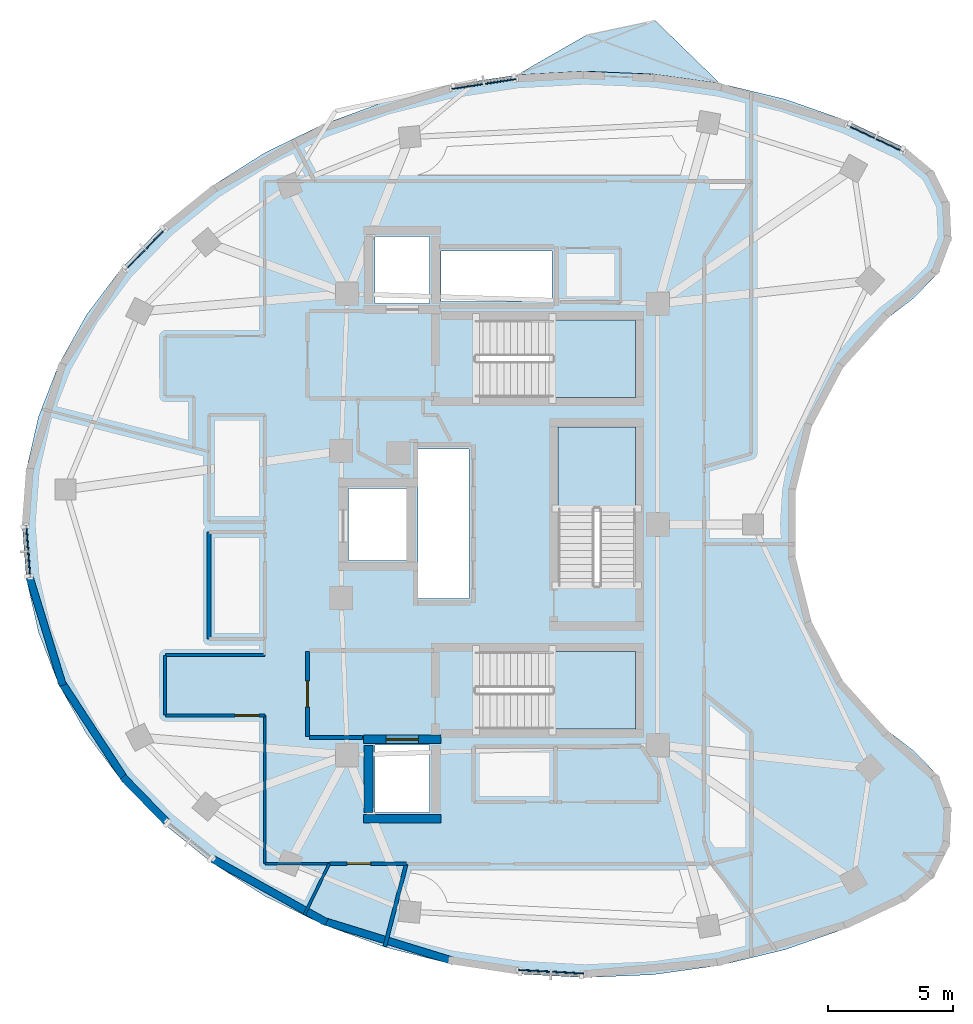
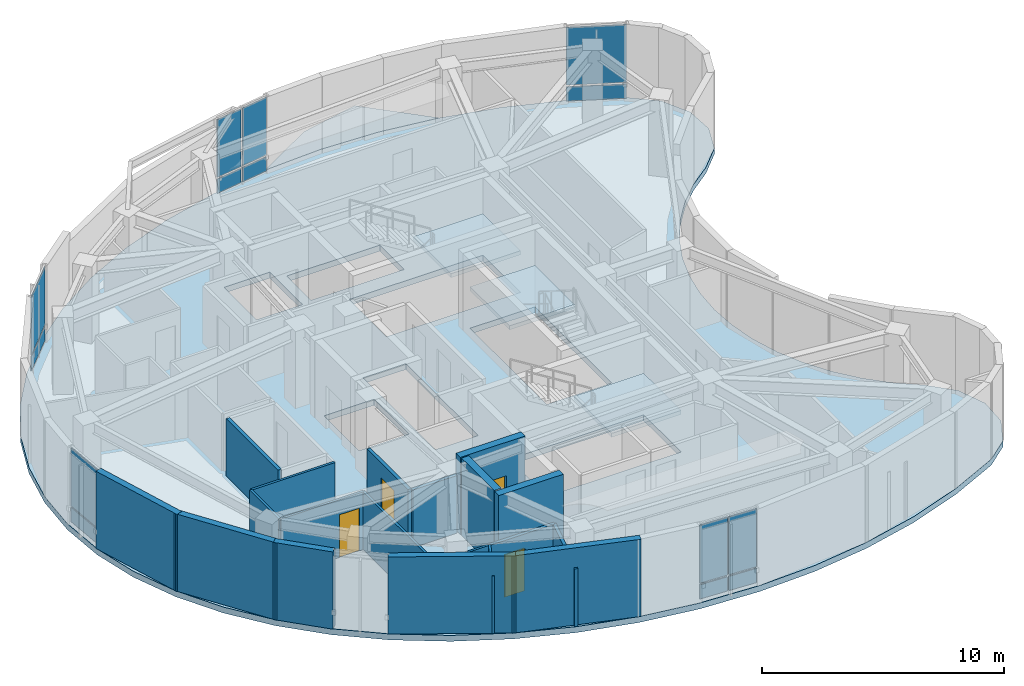
# One storey, part 3 of 10: 19 walls, 14 plates, 5 slabs, 4 doors, 4 openings, 8 elements without a shape of their own.
"""IFC4 building model written with IfcOpenShell, lengths in metres."""

from ifc_helpers import new_model, si_unit, direction, frame, frame_2d, origin, origin_2d, place, context, subcontext, project, spatial, polyline, rectangle, outline, extrude, material, layer, layer_set, type_object, element, fill, aggregate, save


model = new_model("IFC4")

# Units and contexts
model_context = context("Model", 3, precision=1e-05, world=origin(), true_north=direction((0.0, 1.0)))
body_context = subcontext(model_context, "Body", "Model", "MODEL_VIEW")
ifc_project = project(units=[si_unit("LENGTHUNIT", "METRE"), si_unit("AREAUNIT", "SQUARE_METRE"), si_unit("VOLUMEUNIT", "CUBIC_METRE"), si_unit("PLANEANGLEUNIT", "RADIAN"), si_unit("MASSUNIT", "GRAM", prefix="KILO")], contexts=[model_context])

# Site, building, storey
site_placement = place(None, origin())
site = spatial("IfcSite", under=ifc_project, at=site_placement, CompositionType="ELEMENT")
building_placement = place(site_placement, origin())
building = spatial("IfcBuilding", under=site, at=building_placement, Name="Korentha Bioscience Tower", CompositionType="ELEMENT")
storey_placement = place(building_placement, frame((0.0, 0.0, 306.0)))
storey = spatial("IfcBuildingStorey", under=building, at=storey_placement, Name="L70", CompositionType="ELEMENT", Elevation=306.0)

# Curtain wall, plates
ifc_material_1 = material(Name="Thermally Broken Aluminium Frame", Category="aluminium")
ifc_layer_1 = layer(ifc_material_1, 0.219970703125, Name="Thermally Broken Aluminium Frame")
ifc_layer_set_1 = layer_set([ifc_layer_1], Name="Thermally Broken Aluminium Frame (CW-T2)")
curtain_wall_type = type_object("IfcCurtainWallType", Name="Solar-Screened Lab Unitised Curtain Wall CW-T2", PredefinedType="USERDEFINED", material=ifc_layer_set_1)
curtain_wall_1_placement = place(storey_placement, origin())
curtain_wall_1 = element("IfcCurtainWall", 1, at=curtain_wall_1_placement, inside=storey, type_object=curtain_wall_type, Name="L70 Curtain Wall 01", ObjectType="UNITISED", PredefinedType="USERDEFINED")
ifc_material_2 = material(Name="Triple-Glazed Low-E Insulated Glass", Category="glass")
ifc_layer_2 = layer(ifc_material_2, 0.0439453125, Name="Triple-Glazed Low-E Insulated Glass")
ifc_layer_set_2 = layer_set([ifc_layer_2], Name="Triple-Glazed Low-E Insulated Glass (GL-44)")
plate_type = type_object("IfcPlateType", Name="Glazed Panel 44mm", PredefinedType="CURTAIN_PANEL", material=ifc_layer_set_2)
plate_1_placement = place(storey_placement, frame((46.267578125, 42.4755859375, 0.08984375), z_axis=(0.0, 0.0, 1.0), x_axis=(-0.904397382054, 0.426691194347, 0.0)))
plate_1 = element("IfcPlate", 2, at=plate_1_placement, type_object=plate_type, Name="CW-L70-01 Bay 1 Glazed Panel 1", PredefinedType="CURTAIN_PANEL", context=body_context, shape_type="SweptSolid", body=[
    extrude(rectangle(XDim=2.501708984375, YDim=0.0439453125, at=origin_2d()), origin(), (0.0, 0.0, 1.0), 0.715087890625),
])
plate_2_placement = place(storey_placement, frame((46.267578125, 42.4755859375, 0.89501953125), z_axis=(0.0, 0.0, 1.0), x_axis=(-0.904397382054, 0.426691194347, 0.0)))
plate_2 = element("IfcPlate", 3, at=plate_2_placement, type_object=plate_type, Name="CW-L70-01 Bay 1 Glazed Panel 2", PredefinedType="CURTAIN_PANEL", context=body_context, shape_type="SweptSolid", body=[
    extrude(rectangle(XDim=2.501708984375, YDim=0.0439453125, at=origin_2d()), origin(), (0.0, 0.0, 1.0), 2.9150390625),
])
aggregate(curtain_wall_1, [plate_1, plate_2])

curtain_wall_2_placement = place(storey_placement, origin())
curtain_wall_2 = element("IfcCurtainWall", 4, at=curtain_wall_2_placement, inside=storey, type_object=curtain_wall_type, Name="L70 Curtain Wall 07", ObjectType="UNITISED", PredefinedType="USERDEFINED")
plate_3_placement = place(storey_placement, frame((31.246337890625, 44.7626953125, 0.08984375), z_axis=(0.0, 0.0, 1.0), x_axis=(-0.988621035391, -0.150427551942, 0.0)))
plate_3 = element("IfcPlate", 5, at=plate_3_placement, type_object=plate_type, Name="CW-L70-07 Bay 1 Glazed Panel 1", PredefinedType="CURTAIN_PANEL", context=body_context, shape_type="SweptSolid", body=[
    extrude(rectangle(XDim=1.262451171875, YDim=0.0439453125, at=origin_2d()), origin(), (0.0, 0.0, 1.0), 0.715087890625),
])
plate_4_placement = place(storey_placement, frame((31.246337890625, 44.7626953125, 0.89501953125), z_axis=(0.0, 0.0, 1.0), x_axis=(-0.988621035391, -0.150427551942, 0.0)))
plate_4 = element("IfcPlate", 6, at=plate_4_placement, type_object=plate_type, Name="CW-L70-07 Bay 1 Glazed Panel 2", PredefinedType="CURTAIN_PANEL", context=body_context, shape_type="SweptSolid", body=[
    extrude(rectangle(XDim=1.262451171875, YDim=0.0439453125, at=origin_2d()), origin(), (0.0, 0.0, 1.0), 2.9150390625),
])
plate_5_placement = place(storey_placement, frame((29.909423828125, 44.559326171875, 0.08984375), z_axis=(0.0, 0.0, 1.0), x_axis=(-0.988621035391, -0.150427551942, 0.0)))
plate_5 = element("IfcPlate", 7, at=plate_5_placement, type_object=plate_type, Name="CW-L70-07 Bay 2 Glazed Panel 1", PredefinedType="CURTAIN_PANEL", context=body_context, shape_type="SweptSolid", body=[
    extrude(rectangle(XDim=1.262451171875, YDim=0.0439453125, at=origin_2d()), origin(), (0.0, 0.0, 1.0), 0.715087890625),
])
plate_6_placement = place(storey_placement, frame((29.909423828125, 44.559326171875, 0.89501953125), z_axis=(0.0, 0.0, 1.0), x_axis=(-0.988621035391, -0.150427551942, 0.0)))
plate_6 = element("IfcPlate", 8, at=plate_6_placement, type_object=plate_type, Name="CW-L70-07 Bay 2 Glazed Panel 2", PredefinedType="CURTAIN_PANEL", context=body_context, shape_type="SweptSolid", body=[
    extrude(rectangle(XDim=1.262451171875, YDim=0.0439453125, at=origin_2d()), origin(), (0.0, 0.0, 1.0), 2.9150390625),
])
aggregate(curtain_wall_2, [plate_3, plate_4, plate_5, plate_6])

curtain_wall_3_placement = place(storey_placement, origin())
curtain_wall_3 = element("IfcCurtainWall", 9, at=curtain_wall_3_placement, inside=storey, type_object=curtain_wall_type, Name="L70 Curtain Wall 13", ObjectType="UNITISED", PredefinedType="USERDEFINED")
plate_7_placement = place(storey_placement, frame((17.0009765625, 38.0283203125, 0.08984375), z_axis=(0.0, 0.0, 1.0), x_axis=(-0.697567217128, -0.716519349067, 0.0)))
plate_7 = element("IfcPlate", 10, at=plate_7_placement, type_object=plate_type, Name="CW-L70-13 Bay 1 Glazed Panel 1", PredefinedType="CURTAIN_PANEL", context=body_context, shape_type="SweptSolid", body=[
    extrude(rectangle(XDim=2.30517578125, YDim=0.0439453125, at=origin_2d()), origin(), (0.0, 0.0, 1.0), 0.715087890625),
])
plate_8_placement = place(storey_placement, frame((17.0009765625, 38.0283203125, 0.89501953125), z_axis=(0.0, 0.0, 1.0), x_axis=(-0.697567217128, -0.716519349067, 0.0)))
plate_8 = element("IfcPlate", 11, at=plate_8_placement, type_object=plate_type, Name="CW-L70-13 Bay 1 Glazed Panel 2", PredefinedType="CURTAIN_PANEL", context=body_context, shape_type="SweptSolid", body=[
    extrude(rectangle(XDim=2.30517578125, YDim=0.0439453125, at=origin_2d()), origin(), (0.0, 0.0, 1.0), 2.9150390625),
])
aggregate(curtain_wall_3, [plate_7, plate_8])

curtain_wall_4_placement = place(storey_placement, origin())
curtain_wall_4 = element("IfcCurtainWall", 12, at=curtain_wall_4_placement, inside=storey, type_object=curtain_wall_type, Name="L70 Curtain Wall 19", ObjectType="UNITISED", PredefinedType="USERDEFINED")
plate_9_placement = place(storey_placement, frame((12.302490234375, 25.922119140625, 0.08984375), z_axis=(0.0, 0.0, 1.0), x_axis=(0.075073021346, -0.997178039001, 0.0)))
plate_9 = element("IfcPlate", 13, at=plate_9_placement, type_object=plate_type, Name="CW-L70-19 Bay 1 Glazed Panel 1", PredefinedType="CURTAIN_PANEL", context=body_context, shape_type="SweptSolid", body=[
    extrude(rectangle(XDim=2.085693359375, YDim=0.0439453125, at=origin_2d()), origin(), (0.0, 0.0, 1.0), 0.715087890625),
])
plate_10_placement = place(storey_placement, frame((12.302490234375, 25.922119140625, 0.89501953125), z_axis=(0.0, 0.0, 1.0), x_axis=(0.075073021346, -0.997178039001, 0.0)))
plate_10 = element("IfcPlate", 14, at=plate_10_placement, type_object=plate_type, Name="CW-L70-19 Bay 1 Glazed Panel 2", PredefinedType="CURTAIN_PANEL", context=body_context, shape_type="SweptSolid", body=[
    extrude(rectangle(XDim=2.085693359375, YDim=0.0439453125, at=origin_2d()), origin(), (0.0, 0.0, 1.0), 2.9150390625),
])
aggregate(curtain_wall_4, [plate_9, plate_10])

curtain_wall_5_placement = place(storey_placement, origin())
curtain_wall_5 = element("IfcCurtainWall", 15, at=curtain_wall_5_placement, inside=storey, type_object=curtain_wall_type, Name="L70 Curtain Wall 31", ObjectType="UNITISED", PredefinedType="USERDEFINED")
plate_11_placement = place(storey_placement, frame((32.58837890625, 9.099365234375, 0.08984375), z_axis=(0.0, 0.0, 1.0), x_axis=(0.998526001182, -0.054275454513, 0.0)))
plate_11 = element("IfcPlate", 16, at=plate_11_placement, type_object=plate_type, Name="CW-L70-31 Bay 1 Glazed Panel 1", PredefinedType="CURTAIN_PANEL", context=body_context, shape_type="SweptSolid", body=[
    extrude(rectangle(XDim=1.27001953125, YDim=0.0439453125, at=origin_2d()), origin(), (0.0, 0.0, 1.0), 0.715087890625),
])
plate_12_placement = place(storey_placement, frame((32.58837890625, 9.099365234375, 0.89501953125), z_axis=(0.0, 0.0, 1.0), x_axis=(0.998526001182, -0.054275454513, 0.0)))
plate_12 = element("IfcPlate", 17, at=plate_12_placement, type_object=plate_type, Name="CW-L70-31 Bay 1 Glazed Panel 2", PredefinedType="CURTAIN_PANEL", context=body_context, shape_type="SweptSolid", body=[
    extrude(rectangle(XDim=1.27001953125, YDim=0.0439453125, at=origin_2d()), origin(), (0.0, 0.0, 1.0), 2.9150390625),
])
plate_13_placement = place(storey_placement, frame((33.9462890625, 9.025390625, 0.08984375), z_axis=(0.0, 0.0, 1.0), x_axis=(0.998526001182, -0.054275454513, 0.0)))
plate_13 = element("IfcPlate", 18, at=plate_13_placement, type_object=plate_type, Name="CW-L70-31 Bay 2 Glazed Panel 1", PredefinedType="CURTAIN_PANEL", context=body_context, shape_type="SweptSolid", body=[
    extrude(rectangle(XDim=1.27001953125, YDim=0.0439453125, at=origin_2d()), origin(), (0.0, 0.0, 1.0), 0.715087890625),
])
plate_14_placement = place(storey_placement, frame((33.9462890625, 9.025390625, 0.89501953125), z_axis=(0.0, 0.0, 1.0), x_axis=(0.998526001182, -0.054275454513, 0.0)))
plate_14 = element("IfcPlate", 19, at=plate_14_placement, type_object=plate_type, Name="CW-L70-31 Bay 2 Glazed Panel 2", PredefinedType="CURTAIN_PANEL", context=body_context, shape_type="SweptSolid", body=[
    extrude(rectangle(XDim=1.27001953125, YDim=0.0439453125, at=origin_2d()), origin(), (0.0, 0.0, 1.0), 2.9150390625),
])
aggregate(curtain_wall_5, [plate_11, plate_12, plate_13, plate_14])

# Slab
ifc_material_3 = material(Name="Concrete C50", Category="concrete")
ifc_layer_3 = layer(ifc_material_3, 0.300048828125, Name="Concrete C50")
ifc_layer_set_3 = layer_set([ifc_layer_3], Name="Concrete C50 (SL-L300)")
slab_type_1 = type_object("IfcSlabType", Name="Laboratory Vibration-Controlled Slab 300", PredefinedType="FLOOR", material=ifc_layer_set_3)
slab_1_placement = place(storey_placement, frame((0.0, 0.0, -0.300048828125)))
element("IfcSlab", 20, at=slab_1_placement, inside=storey, type_object=slab_type_1, Name="L70 Tower Structural Floor Slab", PredefinedType="FLOOR", context=body_context, shape_type="SweptSolid", body=[
    extrude(outline(polyline([(47.512451171875, 42.065185546875), (45.15966796875, 43.17529296875), (42.6572265625, 44.052001953125), (40.04150390625, 44.68212890625), (37.35009765625, 45.05712890625), (34.62158203125, 45.17138671875), (31.895751953125, 45.0234375), (29.2119140625, 44.614990234375), (26.608642578125, 43.952392578125), (24.12353515625, 43.044921875), (21.792724609375, 41.90576171875), (19.649658203125, 40.551513671875), (17.72509765625, 39.00146484375), (16.04736328125, 37.2783203125), (14.64013671875, 35.406494140625), (13.524169921875, 33.41357421875), (12.715087890625, 31.327880859375), (12.22509765625, 29.1796875), (12.06103515625, 27.0), (12.22509765625, 24.8203125), (12.715087890625, 22.672119140625), (13.524169921875, 20.58642578125), (14.64013671875, 18.593505859375), (16.04736328125, 16.7216796875), (17.72509765625, 14.99853515625), (19.649658203125, 13.448486328125), (21.792724609375, 12.09423828125), (24.12353515625, 10.955078125), (26.608642578125, 10.047607421875), (29.2119140625, 9.385009765625), (31.895751953125, 8.9765625), (34.62158203125, 8.82861328125), (37.35009765625, 8.94287109375), (40.04150390625, 9.31787109375), (42.6572265625, 9.947998046875), (45.15966796875, 10.82470703125), (47.512451171875, 11.934814453125), (48.60546875, 12.85498046875), (49.240234375, 14.135498046875), (49.310791015625, 15.5625), (48.805908203125, 16.8994140625), (47.80908203125, 17.923095703125), (46.74853515625, 18.737060546875), (45.794921875, 19.673828125), (44.962890625, 20.72021484375), (44.264404296875, 21.85986328125), (43.7099609375, 23.076416015625), (43.30810546875, 24.351318359375), (43.064453125, 25.665771484375), (42.98291015625, 27.0), (43.064453125, 28.334228515625), (43.30810546875, 29.648681640625), (43.7099609375, 30.923583984375), (44.264404296875, 32.14013671875), (44.962890625, 33.27978515625), (45.794921875, 34.326171875), (46.74853515625, 35.262939453125), (47.80908203125, 36.076904296875), (48.805908203125, 37.1005859375), (49.310791015625, 38.4375), (49.240234375, 39.864501953125), (48.60546875, 41.14501953125), (47.512451171875, 42.065185546875)]), holes=[polyline([(30.25, 32.10009765625), (36.64990234375, 32.10009765625), (36.64990234375, 35.199951171875), (30.25, 35.199951171875), (30.25, 32.10009765625)]), polyline([(30.25, 18.800048828125), (36.64990234375, 18.800048828125), (36.64990234375, 21.89990234375), (30.25, 21.89990234375), (30.25, 18.800048828125)]), polyline([(36.64990234375, 24.550048828125), (36.64990234375, 30.89990234375), (33.550048828125, 30.89990234375), (33.550048828125, 24.550048828125), (36.64990234375, 24.550048828125)]), polyline([(27.929931640625, 24.030029296875), (29.969970703125, 24.030029296875), (29.969970703125, 30.02001953125), (27.929931640625, 30.02001953125), (27.929931640625, 24.030029296875)]), polyline([(28.860107421875, 35.93994140625), (33.31005859375, 35.93994140625), (33.31005859375, 37.9599609375), (28.860107421875, 37.9599609375), (28.860107421875, 35.93994140625)]), polyline([(26.199951171875, 15.449951171875), (28.39990234375, 15.449951171875), (28.39990234375, 18.14990234375), (26.199951171875, 18.14990234375), (26.199951171875, 15.449951171875)]), polyline([(26.199951171875, 35.85009765625), (28.39990234375, 35.85009765625), (28.39990234375, 38.550048828125), (26.199951171875, 38.550048828125), (26.199951171875, 35.85009765625)]), polyline([(25.14990234375, 25.550048828125), (27.550048828125, 25.550048828125), (27.550048828125, 28.449951171875), (25.14990234375, 28.449951171875), (25.14990234375, 25.550048828125)])]), origin(), (0.0, 0.0, 1.0), 0.300048828125),
])

# Stair, slab
ifc_material_4 = material(Name="Precast Concrete C50", Category="concrete")
stair_type = type_object("IfcStairType", Name="Core Exit Dog-Leg Stair 1450", PredefinedType="HALF_TURN_STAIR", material=ifc_material_4)
stair_1_placement = place(storey_placement, origin())
stair_1 = element("IfcStair", 21, at=stair_1_placement, inside=storey, type_object=stair_type, Name="L70 Tower North Pressurized Exit Stair ST-1", PredefinedType="HALF_TURN_STAIR")
ifc_layer_4 = layer(ifc_material_3, 0.199951171875, Name="Concrete C50")
ifc_layer_set_4 = layer_set([ifc_layer_4], Name="Concrete C50 (SL-LND)")
slab_type_2 = type_object("IfcSlabType", Name="Landing Slab 200", PredefinedType="LANDING", material=ifc_layer_set_4)
slab_2_placement = place(storey_placement, frame((0.0, 0.0, 1.89990234375)))
slab_2 = element("IfcSlab", 22, at=slab_2_placement, type_object=slab_type_2, Name="ST-1 landing 1", PredefinedType="LANDING", context=body_context, shape_type="SweptSolid", body=[
    extrude(outline(polyline([(33.330078125, 32.10009765625), (36.64990234375, 32.10009765625), (36.64990234375, 35.199951171875), (33.330078125, 35.199951171875), (33.330078125, 32.10009765625)])), origin(), (0.0, 0.0, 1.0), 0.2001953125),
])
aggregate(stair_1, [slab_2])

stair_2_placement = place(storey_placement, origin())
stair_2 = element("IfcStair", 23, at=stair_2_placement, inside=storey, type_object=stair_type, Name="L70 Tower South Pressurized Exit Stair ST-2", PredefinedType="HALF_TURN_STAIR")
slab_3_placement = place(storey_placement, frame((0.0, 0.0, 1.89990234375)))
slab_3 = element("IfcSlab", 24, at=slab_3_placement, type_object=slab_type_2, Name="ST-2 landing 1", PredefinedType="LANDING", context=body_context, shape_type="SweptSolid", body=[
    extrude(outline(polyline([(33.330078125, 18.800048828125), (36.64990234375, 18.800048828125), (36.64990234375, 21.89990234375), (33.330078125, 21.89990234375), (33.330078125, 18.800048828125)])), origin(), (0.0, 0.0, 1.0), 0.2001953125),
])
aggregate(stair_2, [slab_3])

stair_3_placement = place(storey_placement, origin())
stair_3 = element("IfcStair", 25, at=stair_3_placement, inside=storey, type_object=stair_type, Name="L70 Tower Central Pressurized Exit Stair ST-3", PredefinedType="HALF_TURN_STAIR")
slab_4_placement = place(storey_placement, frame((0.0, 0.0, 1.89990234375)))
slab_4 = element("IfcSlab", 26, at=slab_4_placement, type_object=slab_type_2, Name="ST-3 landing 1", PredefinedType="LANDING", context=body_context, shape_type="SweptSolid", body=[
    extrude(outline(polyline([(36.64990234375, 27.6298828125), (36.64990234375, 30.89990234375), (33.550048828125, 30.89990234375), (33.550048828125, 27.6298828125), (36.64990234375, 27.6298828125)])), origin(), (0.0, 0.0, 1.0), 0.2001953125),
])
aggregate(stair_3, [slab_4])

# Slab
ifc_layer_5 = layer(ifc_material_3, 0.300048828125, Name="Concrete C50")
ifc_layer_set_5 = layer_set([ifc_layer_5], Name="Concrete C50 (BS-240)")
slab_type_3 = type_object("IfcSlabType", Name="Sawtooth Sun-Ledge Balcony Slab 240", PredefinedType="USERDEFINED", material=ifc_layer_set_5)
slab_5_placement = place(storey_placement, frame((0.0, 0.0, -0.300048828125)))
element("IfcSlab", 27, at=slab_5_placement, inside=storey, type_object=slab_type_3, Name="L70 Sun-Ledge Balcony 01", ObjectType="BALCONY", PredefinedType="USERDEFINED", context=body_context, shape_type="SweptSolid", body=[
    extrude(outline(polyline([(31.895751953125, 45.0234375), (34.62158203125, 45.17138671875), (37.35009765625, 45.05712890625), (40.04150390625, 44.68212890625), (37.43994140625, 47.205322265625), (34.682373046875, 46.6201171875), (31.895751953125, 45.0234375)])), origin(), (0.0, 0.0, 1.0), 0.300048828125),
])

# Wall, opening, door
ifc_material_5 = material(Name="Double-Stud Acoustic Gypsum", Category="gypsum")
ifc_layer_6 = layer(ifc_material_5, 0.14990234375, Name="Double-Stud Acoustic Gypsum")
ifc_layer_set_6 = layer_set([ifc_layer_6], Name="Double-Stud Acoustic Gypsum (IW-L150)")
wall_type_1 = type_object("IfcWallType", Name="Acoustic Laboratory Partition Wall 150", PredefinedType="PARTITIONING", material=ifc_layer_set_6)
wall_1_placement = place(storey_placement, frame((24.380615234375, 13.389892578125, 0.0), z_axis=(0.0, 0.0, 1.0), x_axis=(1.0, 0.0, 0.0)))
wall_1 = element("IfcWall", 28, at=wall_1_placement, inside=storey, type_object=wall_type_1, Name="L70 Research Colloquium Seminar Room 02 Entrance Wall", PredefinedType="PARTITIONING", context=body_context, shape_type="SweptSolid", body=[
    extrude(rectangle(XDim=3.0830078125, YDim=0.14990234375, at=frame_2d((1.54150390625, 0.0))), origin(), (0.0, 0.0, 1.0), 2.909912109375),
])
opening_1_placement = place(wall_1_placement, frame((0.7041015625, 0.0, 0.0)))
opening_1 = element("IfcOpeningElement", 29, at=opening_1_placement, cuts=wall_1, Name="Opening ID-10R", PredefinedType="OPENING", context=body_context, shape_type="SweptSolid", body=[
    extrude(rectangle(XDim=0.949951171875, YDim=2.14990234375, at=frame_2d((0.47509765625, 1.074951171875))), frame((0.0, 0.08984375, 0.0), z_axis=(0.0, -1.0, 0.0), x_axis=(1.0, 0.0, 0.0)), (0.0, 0.0, 1.0), 0.1796875),
])
ifc_material_6 = material(Name="Phenolic Laminate Timber Core", Category="wood")
door_type_1 = type_object("IfcDoorType", Name="Laboratory Single Leaf Door 950x2150 Right", OperationType="SINGLE_SWING_RIGHT", PredefinedType="DOOR", material=ifc_material_6)
door_1_placement = place(opening_1_placement, origin())
door_1 = element("IfcDoor", 30, at=door_1_placement, inside=storey, type_object=door_type_1, Name="L70 Research Colloquium Seminar Room 02 Door", OperationType="SINGLE_SWING_RIGHT", OverallHeight=2.14990234375, OverallWidth=0.949951171875, PredefinedType="DOOR", context=body_context, shape_type="SweptSolid", body=[
    extrude(rectangle(XDim=0.949951171875, YDim=2.14990234375, at=frame_2d((0.47509765625, 1.074951171875))), frame((0.0, 0.02490234375, 0.0), z_axis=(0.0, -1.0, 0.0), x_axis=(1.0, 0.0, 0.0)), (0.0, 0.0, 1.0), 0.050048828125),
])
fill(opening_1, door_1)

# Wall
wall_2_placement = place(storey_placement, frame((27.463623046875, 13.389892578125, 0.0), z_axis=(0.0, 0.0, 1.0), x_axis=(-0.252111588714, -0.967698169284, 0.0)))
element("IfcWall", 31, at=wall_2_placement, inside=storey, type_object=wall_type_1, Name="L70 Interior Partition 036", PredefinedType="PARTITIONING", context=body_context, shape_type="SweptSolid", body=[
    extrude(rectangle(XDim=3.427001953125, YDim=0.14990234375, at=frame_2d((1.71337890625, 0.0))), origin(), (0.0, 0.0, 1.0), 2.909912109375),
])

# Wall, opening, door
ifc_material_7 = material(Name="Fire-Rated Framed Glass", Category="glass")
ifc_layer_7 = layer(ifc_material_7, 0.110107421875, Name="Fire-Rated Framed Glass")
ifc_layer_set_7 = layer_set([ifc_layer_7], Name="Fire-Rated Framed Glass (IW-G110)")
wall_type_2 = type_object("IfcWallType", Name="Demountable Glazed Office Partition 110", PredefinedType="MOVABLE", material=ifc_layer_set_7)
wall_3_placement = place(storey_placement, frame((17.800048828125, 19.340087890625, 0.0), z_axis=(0.0, 0.0, 1.0), x_axis=(1.0, 0.0, 0.0)))
wall_3 = element("IfcWall", 32, at=wall_3_placement, inside=storey, type_object=wall_type_2, Name="L70 Principal Investigator Office 01 Entrance Wall", PredefinedType="MOVABLE", context=body_context, shape_type="SweptSolid", body=[
    extrude(rectangle(XDim=3.989990234375, YDim=0.110107421875, at=frame_2d((1.9951171875, 0.0))), origin(), (0.0, 0.0, 1.0), 2.909912109375),
])
opening_2_placement = place(wall_3_placement, frame((2.800048828125, 0.0, 0.0)))
opening_2 = element("IfcOpeningElement", 33, at=opening_2_placement, cuts=wall_3, Name="Opening ID-10L", PredefinedType="OPENING", context=body_context, shape_type="SweptSolid", body=[
    extrude(rectangle(XDim=0.949951171875, YDim=2.14990234375, at=frame_2d((0.47509765625, 1.074951171875))), frame((0.0, 0.06982421875, 0.0), z_axis=(0.0, -1.0, 0.0), x_axis=(1.0, 0.0, 0.0)), (0.0, 0.0, 1.0), 0.139892578125),
])
door_type_2 = type_object("IfcDoorType", Name="Laboratory Single Leaf Door 950x2150 Left", OperationType="SINGLE_SWING_LEFT", PredefinedType="DOOR", material=ifc_material_6)
door_2_placement = place(opening_2_placement, origin())
door_2 = element("IfcDoor", 34, at=door_2_placement, inside=storey, type_object=door_type_2, Name="L70 Principal Investigator Office 01 Door", OperationType="SINGLE_SWING_LEFT", OverallHeight=2.14990234375, OverallWidth=0.949951171875, PredefinedType="DOOR", context=body_context, shape_type="SweptSolid", body=[
    extrude(rectangle(XDim=0.949951171875, YDim=2.14990234375, at=frame_2d((0.47509765625, 1.074951171875))), frame((0.0, 0.02490234375, 0.0), z_axis=(0.0, -1.0, 0.0), x_axis=(1.0, 0.0, 0.0)), (0.0, 0.0, 1.0), 0.050048828125),
])
fill(opening_2, door_2)

# Walls
wall_4_placement = place(storey_placement, frame((21.7900390625, 21.760009765625, 0.0), z_axis=(0.0, 0.0, 1.0), x_axis=(-1.0, 0.0, 0.0)))
element("IfcWall", 35, at=wall_4_placement, inside=storey, type_object=wall_type_2, Name="L70 Interior Partition 031", PredefinedType="MOVABLE", context=body_context, shape_type="SweptSolid", body=[
    extrude(rectangle(XDim=3.989990234375, YDim=0.110107421875, at=frame_2d((1.9951171875, 0.0))), origin(), (0.0, 0.0, 1.0), 2.909912109375),
])
wall_5_placement = place(storey_placement, frame((17.7900390625, 21.75, 0.0), z_axis=(0.0, 0.0, 1.0), x_axis=(0.0, -1.0, 0.0)))
element("IfcWall", 36, at=wall_5_placement, inside=storey, type_object=wall_type_2, Name="L70 Interior Partition 032", PredefinedType="MOVABLE", context=body_context, shape_type="SweptSolid", body=[
    extrude(rectangle(XDim=2.39990234375, YDim=0.110107421875, at=frame_2d((1.199951171875, 0.0))), origin(), (0.0, 0.0, 1.0), 2.909912109375),
])
wall_6_placement = place(storey_placement, frame((21.7900390625, 19.340087890625, 0.0), z_axis=(0.0, 0.0, 1.0), x_axis=(0.0, -1.0, 0.0)))
element("IfcWall", 37, at=wall_6_placement, inside=storey, type_object=wall_type_2, Name="L70 Interior Partition 033", PredefinedType="MOVABLE", context=body_context, shape_type="SweptSolid", body=[
    extrude(rectangle(XDim=5.940185546875, YDim=0.110107421875, at=frame_2d((2.97021484375, 0.0))), origin(), (0.0, 0.0, 1.0), 2.909912109375),
])
wall_7_placement = place(storey_placement, frame((21.800048828125, 13.389892578125, 0.0), z_axis=(0.0, 0.0, 1.0), x_axis=(1.0, 0.0, 0.0)))
element("IfcWall", 38, at=wall_7_placement, inside=storey, type_object=wall_type_2, Name="L70 Interior Partition 034", PredefinedType="MOVABLE", context=body_context, shape_type="SweptSolid", body=[
    extrude(rectangle(XDim=2.570556640625, YDim=0.110107421875, at=frame_2d((1.28515625, 0.0))), origin(), (0.0, 0.0, 1.0), 2.909912109375),
])
wall_8_placement = place(storey_placement, frame((24.37060546875, 13.389892578125, 0.0), z_axis=(0.0, 0.0, 1.0), x_axis=(-0.438396158112, -0.898781847031, 0.0)))
element("IfcWall", 39, at=wall_8_placement, inside=storey, type_object=wall_type_2, Name="L70 Interior Partition 035", PredefinedType="MOVABLE", context=body_context, shape_type="SweptSolid", body=[
    extrude(rectangle(XDim=2.276123046875, YDim=0.110107421875, at=frame_2d((1.13818359375, 0.0))), origin(), (0.0, 0.0, 1.0), 2.909912109375),
])

# Wall, opening, door
ifc_material_8 = material(Name="Gypsum-Clad Steel Stud", Category="steel")
ifc_layer_8 = layer(ifc_material_8, 0.159912109375, Name="Gypsum-Clad Steel Stud")
ifc_layer_set_8 = layer_set([ifc_layer_8], Name="Gypsum-Clad Steel Stud (IW-C160)")
wall_type_3 = type_object("IfcWallType", Name="Fire-Rated Corridor Partition Wall 160", PredefinedType="PARTITIONING", material=ifc_layer_set_8)
wall_9_placement = place(storey_placement, frame((23.5, 18.5, 0.0), z_axis=(0.0, 0.0, 1.0), x_axis=(0.0, 1.0, 0.0)))
wall_9 = element("IfcWall", 40, at=wall_9_placement, inside=storey, type_object=wall_type_3, Name="L70 FFLS-CW Rated Enclosure Wall", PredefinedType="PARTITIONING", context=body_context, shape_type="SweptSolid", body=[
    extrude(rectangle(XDim=3.39990234375, YDim=0.159912109375, at=frame_2d((1.699951171875, 0.0))), origin(), (0.0, 0.0, 1.0), 2.909912109375),
])
opening_3_placement = place(wall_9_placement, frame((1.175048828125, 0.0, 0.0)))
opening_3 = element("IfcOpeningElement", 41, at=opening_3_placement, cuts=wall_9, Name="Opening FD-90L", PredefinedType="OPENING", context=body_context, shape_type="SweptSolid", body=[
    extrude(rectangle(XDim=1.050048828125, YDim=2.14990234375, at=frame_2d((0.52490234375, 1.074951171875))), frame((0.0, 0.0947265625, 0.0), z_axis=(0.0, -1.0, 0.0), x_axis=(1.0, 0.0, 0.0)), (0.0, 0.0, 1.0), 0.189697265625),
])
ifc_material_9 = material(Name="Powder-Coated Fire-Rated Steel", Category="steel")
door_type_3 = type_object("IfcDoorType", Name="Stairwell Fire Exit Door 1050x2150 Left", OperationType="SINGLE_SWING_LEFT", PredefinedType="DOOR", material=ifc_material_9)
door_3_placement = place(opening_3_placement, origin())
door_3 = element("IfcDoor", 42, at=door_3_placement, inside=storey, type_object=door_type_3, Name="L70 South Firefighting Lobby Door", OperationType="SINGLE_SWING_LEFT", OverallHeight=2.14990234375, OverallWidth=1.050048828125, PredefinedType="DOOR", context=body_context, shape_type="SweptSolid", body=[
    extrude(rectangle(XDim=1.050048828125, YDim=2.14990234375, at=frame_2d((0.52490234375, 1.074951171875))), frame((0.0, 0.02490234375, 0.0), z_axis=(0.0, -1.0, 0.0), x_axis=(1.0, 0.0, 0.0)), (0.0, 0.0, 1.0), 0.050048828125),
])
fill(opening_3, door_3)

# Walls
wall_10_placement = place(storey_placement, frame((23.580078125, 18.449951171875, 0.0), z_axis=(0.0, 0.0, 1.0), x_axis=(1.0, 0.0, 0.0)))
element("IfcWall", 43, at=wall_10_placement, inside=storey, type_object=wall_type_3, Name="L70 Firefighting Lobby Return Wall FFLS-S", PredefinedType="PARTITIONING", context=body_context, shape_type="SweptSolid", body=[
    extrude(rectangle(XDim=2.119873046875, YDim=0.159912109375, at=frame_2d((1.06005859375, 0.0))), origin(), (0.0, 0.0, 1.0), 2.909912109375),
])
wall_11_placement = place(storey_placement, frame((19.550048828125, 22.39990234375, 0.0), z_axis=(0.0, 0.0, 1.0), x_axis=(0.0, 1.0, 0.0)))
element("IfcWall", 44, at=wall_11_placement, inside=storey, type_object=wall_type_3, Name="L70 Interior Partition 022", PredefinedType="PARTITIONING", context=body_context, shape_type="SweptSolid", body=[
    extrude(rectangle(XDim=4.300048828125, YDim=0.159912109375, at=frame_2d((2.14990234375, 0.0))), origin(), (0.0, 0.0, 1.0), 2.909912109375),
])
ifc_material_10 = material(Name="Honed Limestone Precast Concrete C40", Category="masonry")
ifc_layer_9 = layer(ifc_material_10, 0.300048828125, Name="Honed Limestone Precast Concrete C40")
ifc_layer_set_9 = layer_set([ifc_layer_9], Name="Honed Limestone Precast Concrete C40 (EW-ST300)")
wall_type_4 = type_object("IfcWallType", Name="Honed Limestone Cavity Spandrel Wall 300", PredefinedType="STANDARD", material=ifc_layer_set_9)
wall_12_placement = place(storey_placement, frame((12.33544921875, 24.93798828125, 0.0), z_axis=(0.0, 0.0, 1.0), x_axis=(0.293311854667, -0.956016817797, 0.0)))
element("IfcWall", 45, at=wall_12_placement, inside=storey, type_object=wall_type_4, Name="L70 Limestone Perimeter Closure Wall 20", PredefinedType="STANDARD", context=body_context, shape_type="SweptSolid", body=[
    extrude(rectangle(XDim=4.5888671875, YDim=0.300048828125, at=frame_2d((2.29443359375, 0.0))), origin(), (0.0, 0.0, 1.0), 3.89990234375),
])
wall_13_placement = place(storey_placement, frame((13.59765625, 20.72998046875, 0.0), z_axis=(0.0, 0.0, 1.0), x_axis=(0.546723072071, -0.837313491152, 0.0)))
element("IfcWall", 46, at=wall_13_placement, inside=storey, type_object=wall_type_4, Name="L70 Limestone Perimeter Closure Wall 22", PredefinedType="STANDARD", context=body_context, shape_type="SweptSolid", body=[
    extrude(rectangle(XDim=4.775390625, YDim=0.300048828125, at=frame_2d((2.3876953125, 0.0))), origin(), (0.0, 0.0, 1.0), 3.89990234375),
])
wall_14_placement = place(storey_placement, frame((16.091796875, 16.876708984375, 0.0), z_axis=(0.0, 0.0, 1.0), x_axis=(0.697621825822, -0.716466180735, 0.0)))
element("IfcWall", 47, at=wall_14_placement, inside=storey, type_object=wall_type_4, Name="L70 Limestone Perimeter Closure Wall 24", PredefinedType="STANDARD", context=body_context, shape_type="SweptSolid", body=[
    extrude(rectangle(XDim=2.565185546875, YDim=0.300048828125, at=frame_2d((1.28271484375, 0.0))), origin(), (0.0, 0.0, 1.0), 3.89990234375),
])
wall_15_placement = place(storey_placement, frame((19.64794921875, 13.609619140625, 0.0), z_axis=(0.0, 0.0, 1.0), x_axis=(0.87350676692, -0.486812004932, 0.0)))
element("IfcWall", 48, at=wall_15_placement, inside=storey, type_object=wall_type_4, Name="L70 Limestone Perimeter Closure Wall 26", PredefinedType="STANDARD", context=body_context, shape_type="SweptSolid", body=[
    extrude(rectangle(XDim=5.281982421875, YDim=0.300048828125, at=frame_2d((2.64111328125, 0.0))), origin(), (0.0, 0.0, 1.0), 3.89990234375),
])
wall_16_placement = place(storey_placement, frame((24.08837890625, 11.112548828125, 0.0), z_axis=(0.0, 0.0, 1.0), x_axis=(0.955535200816, -0.29487705913, 0.0)))
element("IfcWall", 49, at=wall_16_placement, inside=storey, type_object=wall_type_4, Name="L70 Limestone Perimeter Closure Wall 28", PredefinedType="STANDARD", context=body_context, shape_type="SweptSolid", body=[
    extrude(rectangle(XDim=5.485107421875, YDim=0.300048828125, at=frame_2d((2.74267578125, 0.0))), origin(), (0.0, 0.0, 1.0), 3.89990234375),
])
ifc_layer_10 = layer(ifc_material_3, 0.35009765625, Name="Concrete C50")
ifc_layer_set_10 = layer_set([ifc_layer_10], Name="Concrete C50 (CW-C50)")
wall_type_5 = type_object("IfcWallType", Name="Upper Core Shear Wall 350", PredefinedType="SHEAR", material=ifc_layer_set_10)
wall_17_placement = place(storey_placement, frame((25.75, 15.199951171875, 0.0), z_axis=(0.0, 0.0, 1.0), x_axis=(1.0, 0.0, 0.0)))
element("IfcWall", 50, at=wall_17_placement, inside=storey, type_object=wall_type_5, Name="L70 Core Shear Wall FFL1-S", PredefinedType="SHEAR", context=body_context, shape_type="SweptSolid", body=[
    extrude(rectangle(XDim=3.10009765625, YDim=0.35009765625, at=frame_2d((1.550048828125, 0.0))), origin(), (0.0, 0.0, 1.0), 3.89990234375),
])

# Wall, opening, door
wall_18_placement = place(storey_placement, frame((25.75, 18.3798828125, 0.0), z_axis=(0.0, 0.0, 1.0), x_axis=(1.0, 0.0, 0.0)))
wall_18 = element("IfcWall", 51, at=wall_18_placement, inside=storey, type_object=wall_type_5, Name="L70 Core Shear Wall FFL1-N", PredefinedType="SHEAR", context=body_context, shape_type="SweptSolid", body=[
    extrude(rectangle(XDim=3.10009765625, YDim=0.35009765625, at=frame_2d((1.550048828125, 0.0))), origin(), (0.0, 0.0, 1.0), 3.89990234375),
])
opening_4_placement = place(wall_18_placement, frame((0.89990234375, 0.0, 0.0)))
opening_4 = element("IfcOpeningElement", 52, at=opening_4_placement, cuts=wall_18, Name="Opening LD-13", PredefinedType="OPENING", context=body_context, shape_type="SweptSolid", body=[
    extrude(rectangle(XDim=1.300048828125, YDim=2.199951171875, at=frame_2d((0.64990234375, 1.10009765625))), frame((0.0, 0.18994140625, 0.0), z_axis=(0.0, -1.0, 0.0), x_axis=(1.0, 0.0, 0.0)), (0.0, 0.0, 1.0), 0.3798828125),
])
ifc_material_11 = material(Name="Brushed Stainless Steel 316", Category="steel")
door_type_4 = type_object("IfcDoorType", Name="Service & Firefighting Lift Landing Door 1300x2300", OperationType="DOUBLE_DOOR_SLIDING", PredefinedType="DOOR", material=ifc_material_11)
door_4_placement = place(opening_4_placement, origin())
door_4 = element("IfcDoor", 53, at=door_4_placement, inside=storey, type_object=door_type_4, Name="L70 FFL-1 Sliding Lift Landing Door", OperationType="DOUBLE_DOOR_SLIDING", OverallHeight=2.199951171875, OverallWidth=1.300048828125, PredefinedType="DOOR", context=body_context, shape_type="SweptSolid", body=[
    extrude(rectangle(XDim=1.300048828125, YDim=2.199951171875, at=frame_2d((0.64990234375, 1.10009765625))), frame((0.0, 0.02490234375, 0.0), z_axis=(0.0, -1.0, 0.0), x_axis=(1.0, 0.0, 0.0)), (0.0, 0.0, 1.0), 0.050048828125),
])
fill(opening_4, door_4)

# Wall
wall_19_placement = place(storey_placement, frame((25.949951171875, 15.43994140625, 0.0), z_axis=(0.0, 0.0, 1.0), x_axis=(0.0, 1.0, 0.0)))
element("IfcWall", 54, at=wall_19_placement, inside=storey, type_object=wall_type_5, Name="L70 Core Shear Wall FFL1-W", PredefinedType="SHEAR", context=body_context, shape_type="SweptSolid", body=[
    extrude(rectangle(XDim=2.699951171875, YDim=0.35009765625, at=frame_2d((1.35009765625, 0.0))), origin(), (0.0, 0.0, 1.0), 3.89990234375),
])

save(model, "model.ifc")
